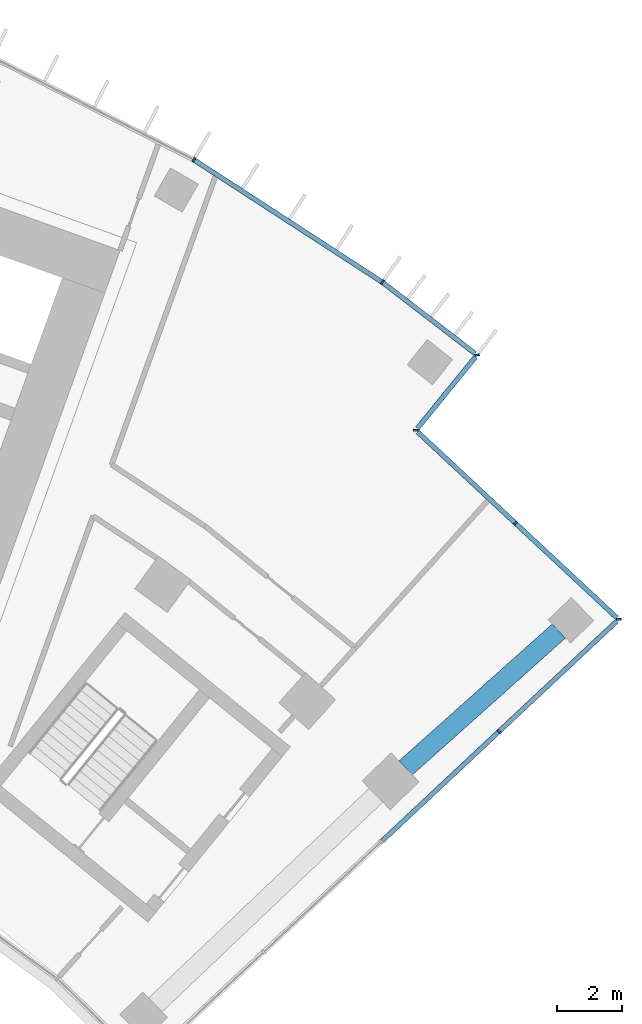
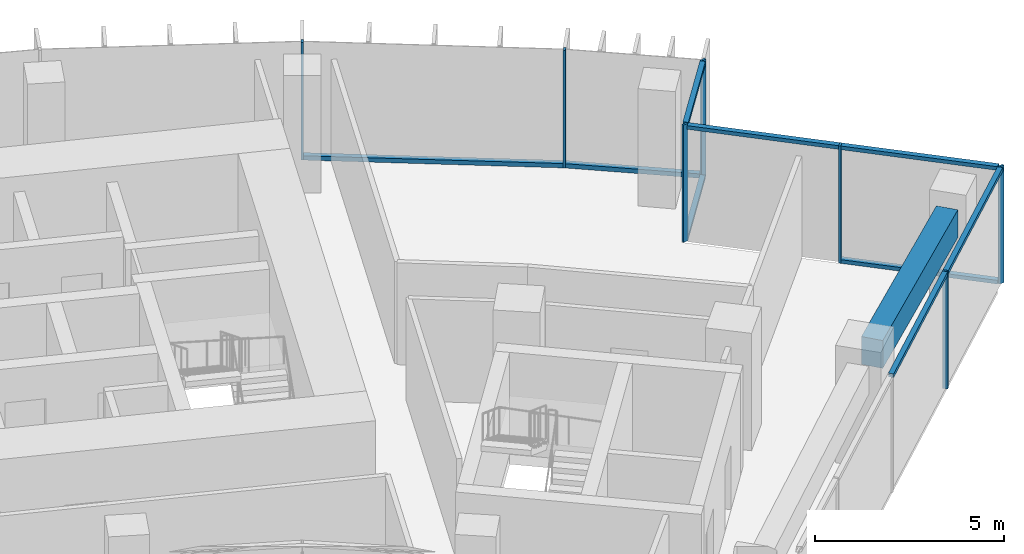
# One storey, part 10 of 21: 16 members, 1 beam, 4 elements without a shape of their own.
"""IFC4 building model written with IfcOpenShell, lengths in metres."""

from ifc_helpers import new_model, si_unit, direction, frame, origin, origin_2d, place, context, subcontext, project, spatial, rectangle, extrude, material, layer, layer_set, material_profile, profile_set, type_object, element, aggregate, save


model = new_model("IFC4")

# Units and contexts
model_context = context("Model", 3, precision=1e-05, world=origin(), true_north=direction((0.0, 1.0)))
body_context = subcontext(model_context, "Body", "Model", "MODEL_VIEW")
ifc_project = project(units=[si_unit("LENGTHUNIT", "METRE"), si_unit("AREAUNIT", "SQUARE_METRE"), si_unit("VOLUMEUNIT", "CUBIC_METRE"), si_unit("PLANEANGLEUNIT", "RADIAN"), si_unit("MASSUNIT", "GRAM", prefix="KILO")], contexts=[model_context])

# Site, building, storey
site_placement = place(None, origin())
site = spatial("IfcSite", under=ifc_project, at=site_placement, CompositionType="ELEMENT")
building_placement = place(site_placement, origin())
building = spatial("IfcBuilding", under=site, at=building_placement, Name="Stone Belt Terrace Tower", CompositionType="ELEMENT")
storey_placement = place(building_placement, frame((0.0, 0.0, 189.60009765625)))
storey = spatial("IfcBuildingStorey", under=building, at=storey_placement, Name="L46", CompositionType="ELEMENT", Elevation=189.60009765625)

# Curtain wall, members
ifc_material_1 = material(Name="Aluminium 6063-T6 anodised frame", Category="aluminium")
ifc_layer_1 = layer(ifc_material_1, 0.14990234375)
ifc_layer_set_1 = layer_set([ifc_layer_1], Name="CW-A unitised convex-face curtain wall")
curtain_wall_type_1 = type_object("IfcCurtainWallType", Name="CW-A unitised convex-face curtain wall", PredefinedType="NOTDEFINED", material=ifc_layer_set_1)
curtain_wall_1_placement = place(storey_placement, origin())
curtain_wall_1 = element("IfcCurtainWall", 1, at=curtain_wall_1_placement, inside=storey, type_object=curtain_wall_type_1, Name="CW-A convex face L46", PredefinedType="NOTDEFINED")
ifc_material_profile_1 = material_profile(ifc_material_1, rectangle(XDim=0.14990234375, YDim=0.06005859375, at=origin_2d()), Name="Aluminium 6063-T6 60x150")
ifc_profile_set_1 = profile_set([ifc_material_profile_1], Name="Aluminium 6063-T6 anodised frame")
member_type_1 = type_object("IfcMemberType", Name="CW-A mullion 60 x 150", PredefinedType="MULLION", material=ifc_profile_set_1)
member_1_placement = place(storey_placement, frame((42.068359375, 51.60205078125, 0.0), z_axis=(0.0, 0.0, 1.0), x_axis=(-0.993258004644, -0.115924700604, 0.0)))
member_1 = element("IfcMember", 2, at=member_1_placement, type_object=member_type_1, Name="CW-A mullion 1", PredefinedType="MULLION", context=body_context, shape_type="SweptSolid", body=[
    extrude(rectangle(XDim=0.14990234375, YDim=0.06005859375, at=origin_2d()), origin(), (0.0, 0.0, 1.0), 3.7998046875),
])
member_2_placement = place(storey_placement, frame((39.131103515625, 53.86083984375, 0.0), z_axis=(0.0, 0.0, 1.0), x_axis=(-0.577587125789, -0.816329046477, 0.0)))
member_2 = element("IfcMember", 3, at=member_2_placement, type_object=member_type_1, Name="CW-A mullion 2", PredefinedType="MULLION", context=body_context, shape_type="SweptSolid", body=[
    extrude(rectangle(XDim=0.14990234375, YDim=0.06005859375, at=origin_2d()), origin(), (0.0, 0.0, 1.0), 3.7998046875),
])
member_3_placement = place(storey_placement, frame((33.28759765625, 57.65576171875, 0.0), z_axis=(0.0, 0.0, 1.0), x_axis=(-0.5, -0.866025403784, 0.0)))
member_3 = element("IfcMember", 4, at=member_3_placement, type_object=member_type_1, Name="CW-A mullion 3", PredefinedType="MULLION", context=body_context, shape_type="SweptSolid", body=[
    extrude(rectangle(XDim=0.14990234375, YDim=0.06005859375, at=origin_2d()), origin(), (0.0, 0.0, 1.0), 3.7998046875),
])
ifc_material_profile_2 = material_profile(ifc_material_1, rectangle(XDim=0.14990234375, YDim=0.139892578125, at=origin_2d()), Name="Aluminium 6063-T6 150x140")
ifc_profile_set_2 = profile_set([ifc_material_profile_2], Name="Aluminium 6063-T6 anodised frame")
member_type_2 = type_object("IfcMemberType", Name="CW-A transom 140 x 150", PredefinedType="USERDEFINED", material=ifc_profile_set_2)
member_4_placement = place(storey_placement, frame((42.00927734375, 51.6474609375, 0.06982421875), z_axis=(-0.79269461464, 0.609618936648, 0.0), x_axis=(-0.609618936648, -0.79269461464, 0.0)))
member_4 = element("IfcMember", 5, at=member_4_placement, type_object=member_type_2, Name="CW-A transom 1.1", ObjectType="TRANSOM", PredefinedType="USERDEFINED", context=body_context, shape_type="SweptSolid", body=[
    extrude(rectangle(XDim=0.14990234375, YDim=0.139892578125, at=origin_2d()), origin(), (0.0, 0.0, 1.0), 3.597900390625),
])
member_5_placement = place(storey_placement, frame((39.103515625, 53.87890625, 0.06982421875), z_axis=(-0.83868440714, 0.544617723931, 0.0), x_axis=(-0.544617723931, -0.83868440714, 0.0)))
member_5 = element("IfcMember", 6, at=member_5_placement, type_object=member_type_2, Name="CW-A transom 2.1", ObjectType="TRANSOM", PredefinedType="USERDEFINED", context=body_context, shape_type="SweptSolid", body=[
    extrude(rectangle(XDim=0.14990234375, YDim=0.139892578125, at=origin_2d()), origin(), (0.0, 0.0, 1.0), 6.90087890625),
])
aggregate(curtain_wall_1, [member_1, member_2, member_3, member_4, member_5])

# Curtain wall, member
ifc_layer_2 = layer(ifc_material_1, 0.14990234375)
ifc_layer_set_2 = layer_set([ifc_layer_2], Name="CW-C stick curtain wall, horn ends and notches")
curtain_wall_type_2 = type_object("IfcCurtainWallType", Name="CW-C stick curtain wall, horn ends and notches", PredefinedType="NOTDEFINED", material=ifc_layer_set_2)
curtain_wall_2_placement = place(storey_placement, origin())
curtain_wall_2 = element("IfcCurtainWall", 7, at=curtain_wall_2_placement, inside=storey, type_object=curtain_wall_type_2, Name="CW-C end face L46", PredefinedType="NOTDEFINED")
ifc_material_profile_3 = material_profile(ifc_material_1, rectangle(XDim=0.14990234375, YDim=0.06005859375, at=origin_2d()), Name="Aluminium 6063-T6 60x150")
ifc_profile_set_3 = profile_set([ifc_material_profile_3], Name="Aluminium 6063-T6 anodised frame")
member_type_3 = type_object("IfcMemberType", Name="CW-C mullion 60 x 150", PredefinedType="MULLION", material=ifc_profile_set_3)
member_6_placement = place(storey_placement, frame((42.750732421875, 39.932861328125, 0.0), z_axis=(0.0, 0.0, 1.0), x_axis=(-0.683549434973, 0.729904219708, 0.0)))
member_6 = element("IfcMember", 8, at=member_6_placement, type_object=member_type_3, Name="CW-C mullion 4", PredefinedType="MULLION", context=body_context, shape_type="SweptSolid", body=[
    extrude(rectangle(XDim=0.14990234375, YDim=0.06005859375, at=origin_2d()), origin(), (0.0, 0.0, 1.0), 3.7998046875),
])

# Curtain wall, members
curtain_wall_3_placement = place(storey_placement, origin())
curtain_wall_3 = element("IfcCurtainWall", 9, at=curtain_wall_3_placement, inside=storey, type_object=curtain_wall_type_2, Name="CW-C notch face L46", PredefinedType="NOTDEFINED")
member_7_placement = place(storey_placement, frame((46.458740234375, 43.405517578125, 0.0), z_axis=(0.0, 0.0, 1.0), x_axis=(-0.999999447771, -0.00105093149, 0.0)))
member_7 = element("IfcMember", 10, at=member_7_placement, type_object=member_type_3, Name="CW-C mullion 1", PredefinedType="MULLION", context=body_context, shape_type="SweptSolid", body=[
    extrude(rectangle(XDim=0.14990234375, YDim=0.06005859375, at=origin_2d()), origin(), (0.0, 0.0, 1.0), 3.7998046875),
])
member_8_placement = place(storey_placement, frame((43.260009765625, 46.388671875, 0.0), z_axis=(0.0, 0.0, 1.0), x_axis=(-0.682013767261, -0.731339333871, 0.0)))
member_8 = element("IfcMember", 11, at=member_8_placement, type_object=member_type_3, Name="CW-C mullion 2", PredefinedType="MULLION", context=body_context, shape_type="SweptSolid", body=[
    extrude(rectangle(XDim=0.14990234375, YDim=0.06005859375, at=origin_2d()), origin(), (0.0, 0.0, 1.0), 3.7998046875),
])

# Curtain wall, member
curtain_wall_4_placement = place(storey_placement, origin())
curtain_wall_4 = element("IfcCurtainWall", 12, at=curtain_wall_4_placement, inside=storey, type_object=curtain_wall_type_2, Name="CW-C notch face L46", PredefinedType="NOTDEFINED")
member_9_placement = place(storey_placement, frame((40.1708984375, 49.269287109375, 0.0), z_axis=(0.0, 0.0, 1.0), x_axis=(-0.997639702696, -0.068666029474, 0.0)))
member_9 = element("IfcMember", 13, at=member_9_placement, type_object=member_type_3, Name="CW-C mullion 1", PredefinedType="MULLION", context=body_context, shape_type="SweptSolid", body=[
    extrude(rectangle(XDim=0.14990234375, YDim=0.06005859375, at=origin_2d()), origin(), (0.0, 0.0, 1.0), 3.7998046875),
])

# Member
ifc_material_profile_4 = material_profile(ifc_material_1, rectangle(XDim=0.14990234375, YDim=0.1201171875, at=origin_2d()), Name="Aluminium 6063-T6 150x120")
ifc_profile_set_4 = profile_set([ifc_material_profile_4], Name="Aluminium 6063-T6 anodised frame")
member_type_4 = type_object("IfcMemberType", Name="CW-C transom 120 x 150", PredefinedType="USERDEFINED", material=ifc_profile_set_4)
member_10_placement = place(storey_placement, frame((39.123046875, 36.53564453125, 3.739990234375), z_axis=(0.729905447424, 0.683548123998, 0.0), x_axis=(-0.683548123998, 0.729905447424, 0.0)))
member_10 = element("IfcMember", 14, at=member_10_placement, type_object=member_type_4, Name="CW-C transom 3.1", ObjectType="TRANSOM", PredefinedType="USERDEFINED", context=body_context, shape_type="SweptSolid", body=[
    extrude(rectangle(XDim=0.14990234375, YDim=0.1201171875, at=origin_2d()), origin(), (0.0, 0.0, 1.0), 4.93994140625),
])

member_11_placement = place(storey_placement, frame((42.7724609375, 39.953369140625, 3.739990234375), z_axis=(0.729913558916, 0.683539462292, 0.0), x_axis=(-0.683539462292, 0.729913558916, 0.0)))
member_11 = element("IfcMember", 15, at=member_11_placement, type_object=member_type_4, Name="CW-C transom 4.1", ObjectType="TRANSOM", PredefinedType="USERDEFINED", context=body_context, shape_type="SweptSolid", body=[
    extrude(rectangle(XDim=0.14990234375, YDim=0.1201171875, at=origin_2d()), origin(), (0.0, 0.0, 1.0), 4.97509765625),
])

aggregate(curtain_wall_2, [member_6, member_10, member_11])

member_12_placement = place(storey_placement, frame((46.40380859375, 43.456787109375, 0.059814453125), z_axis=(-0.731353784958, 0.681998270693, 0.0), x_axis=(-0.681998270693, -0.731353784958, 0.0)))
member_12 = element("IfcMember", 16, at=member_12_placement, type_object=member_type_4, Name="CW-C transom 1.1", ObjectType="TRANSOM", PredefinedType="USERDEFINED", context=body_context, shape_type="SweptSolid", body=[
    extrude(rectangle(XDim=0.14990234375, YDim=0.1201171875, at=origin_2d()), origin(), (0.0, 0.0, 1.0), 4.268798828125),
])

member_13_placement = place(storey_placement, frame((46.40380859375, 43.456787109375, 3.739990234375), z_axis=(-0.731353784958, 0.681998270693, 0.0), x_axis=(-0.681998270693, -0.731353784958, 0.0)))
member_13 = element("IfcMember", 17, at=member_13_placement, type_object=member_type_4, Name="CW-C transom 1.2", ObjectType="TRANSOM", PredefinedType="USERDEFINED", context=body_context, shape_type="SweptSolid", body=[
    extrude(rectangle(XDim=0.14990234375, YDim=0.1201171875, at=origin_2d()), origin(), (0.0, 0.0, 1.0), 4.268798828125),
])

member_14_placement = place(storey_placement, frame((43.238037109375, 46.4091796875, 3.739990234375), z_axis=(-0.731382255625, 0.681967738355, 0.0), x_axis=(-0.681967738355, -0.731382255625, 0.0)))
member_14 = element("IfcMember", 18, at=member_14_placement, type_object=member_type_4, Name="CW-C transom 2.1", ObjectType="TRANSOM", PredefinedType="USERDEFINED", context=body_context, shape_type="SweptSolid", body=[
    extrude(rectangle(XDim=0.14990234375, YDim=0.1201171875, at=origin_2d()), origin(), (0.0, 0.0, 1.0), 4.12060546875),
])

aggregate(curtain_wall_3, [member_7, member_8, member_12, member_13, member_14])

member_15_placement = place(storey_placement, frame((40.217041015625, 49.325927734375, 0.059814453125), z_axis=(0.631026504781, 0.775761271439, 0.0), x_axis=(-0.775761271439, 0.631026504781, 0.0)))
member_15 = element("IfcMember", 19, at=member_15_placement, type_object=member_type_4, Name="CW-C transom 1.1", ObjectType="TRANSOM", PredefinedType="USERDEFINED", context=body_context, shape_type="SweptSolid", body=[
    extrude(rectangle(XDim=0.14990234375, YDim=0.1201171875, at=origin_2d()), origin(), (0.0, 0.0, 1.0), 2.859130859375),
])

member_16_placement = place(storey_placement, frame((40.217041015625, 49.325927734375, 3.739990234375), z_axis=(0.631026504781, 0.775761271439, 0.0), x_axis=(-0.775761271439, 0.631026504781, 0.0)))
member_16 = element("IfcMember", 20, at=member_16_placement, type_object=member_type_4, Name="CW-C transom 1.2", ObjectType="TRANSOM", PredefinedType="USERDEFINED", context=body_context, shape_type="SweptSolid", body=[
    extrude(rectangle(XDim=0.14990234375, YDim=0.1201171875, at=origin_2d()), origin(), (0.0, 0.0, 1.0), 2.859130859375),
])

aggregate(curtain_wall_4, [member_9, member_15, member_16])

# Beam
ifc_material_2 = material(Name="Concrete B60", Category="concrete")
ifc_material_profile_5 = material_profile(ifc_material_2, rectangle(XDim=0.60009765625, YDim=0.89990234375, at=origin_2d()), Name="RC 600x900")
ifc_profile_set_5 = profile_set([ifc_material_profile_5], Name="Concrete B60")
beam_type = type_object("IfcBeamType", Name="Edge beam RC 600x900 B60", PredefinedType="SPANDREL", material=ifc_profile_set_5)
beam_placement = place(storey_placement, frame((39.854736328125, 38.8037109375, 2.849853515625), z_axis=(0.745666230978, 0.666319647, 0.0), x_axis=(-0.666319647, 0.745666230978, 0.0)))
element("IfcBeam", 21, at=beam_placement, inside=storey, type_object=beam_type, Name="Edge beam L46 B Q to R", PredefinedType="SPANDREL", context=body_context, shape_type="SweptSolid", body=[
    extrude(rectangle(XDim=0.60009765625, YDim=0.89990234375, at=origin_2d()), origin(), (0.0, 0.0, 1.0), 6.369140625),
])

save(model, "model.ifc")
